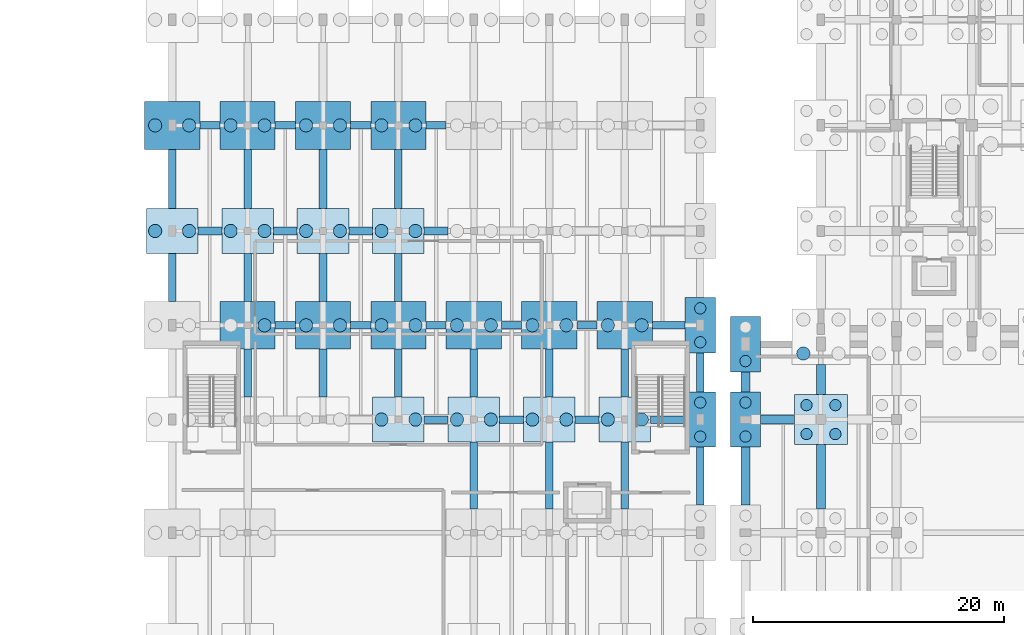
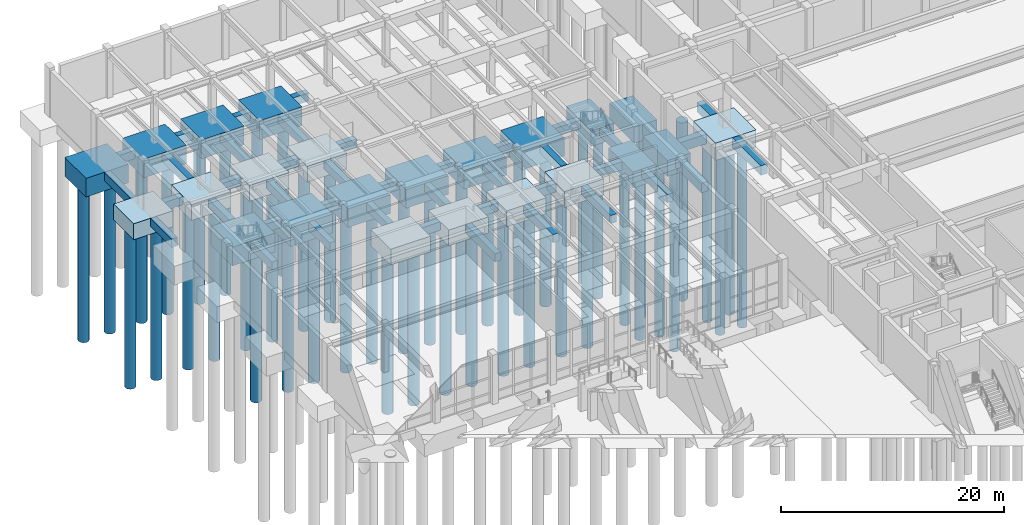
# One storey, part 5 of 69: 65 footings, 47 piles.
"""IFC4 building model written with IfcOpenShell, lengths in metres."""

from ifc_helpers import new_model, si_unit, direction, frame, origin, origin_2d, place, context, subcontext, project, spatial, rectangle, circle, extrude, material, material_profile, profile_set, type_object, element, save


model = new_model("IFC4")

# Units and contexts
model_context = context("Model", 3, precision=1e-05, world=origin(), true_north=direction((0.0, 1.0)))
body_context = subcontext(model_context, "Body", "Model", "MODEL_VIEW")
ifc_project = project(units=[si_unit("LENGTHUNIT", "METRE"), si_unit("AREAUNIT", "SQUARE_METRE"), si_unit("VOLUMEUNIT", "CUBIC_METRE"), si_unit("PLANEANGLEUNIT", "RADIAN"), si_unit("MASSUNIT", "GRAM", prefix="KILO")], contexts=[model_context])

# Site, building, storey
site_placement = place(None, origin())
site = spatial("IfcSite", under=ifc_project, at=site_placement, CompositionType="ELEMENT")
building_placement = place(site_placement, origin())
building = spatial("IfcBuilding", under=site, at=building_placement, Name="Vaelkrest Opera House", CompositionType="ELEMENT")
storey_placement = place(building_placement, frame((0.0, 0.0, -5.39990234375)))
storey = spatial("IfcBuildingStorey", under=building, at=storey_placement, Name="B1", CompositionType="ELEMENT", Elevation=-5.39990234375)

# Footings
ifc_material = material(Name="Concrete C40/50", Category="concrete")
footing_type_1 = type_object("IfcFootingType", Name="FB01", PredefinedType="FOOTING_BEAM", material=ifc_material)
for number, where, z_axis, x_axis, name in (
    (1, (-54.60009765625, 10.199951171875, -0.900146484375), (0.0, 0.0, 1.0), (1.0, 0.0, 0.0), "Footing tie beam FT-GB-0207"),
    (2, (-48.60009765625, 10.199951171875, -0.900146484375), (0.0, 0.0, 1.0), (1.0, 0.0, 0.0), "Footing tie beam FT-GB-0208"),
    (3, (-42.60009765625, 10.199951171875, -0.900146484375), (0.0, 0.0, 1.0), (1.0, 0.0, 0.0), "Footing tie beam FT-GB-0209"),
):
    element("IfcFooting", number, at=place(storey_placement, frame(where, z_axis=z_axis, x_axis=x_axis)), inside=storey, type_object=footing_type_1, Name=name, PredefinedType="FOOTING_BEAM", context=body_context, shape_type="SweptSolid", body=[
        extrude(rectangle(XDim=1.89990234375, YDim=0.60009765625, at=origin_2d()), origin(), (0.0, 0.0, 1.0), 0.89990234375),
    ])
footing_1_placement = place(storey_placement, frame((-36.175048828125, 10.199951171875, -0.900146484375), z_axis=(0.0, 0.0, 1.0), x_axis=(1.0, 0.0, 0.0)))
element("IfcFooting", 4, at=footing_1_placement, inside=storey, type_object=footing_type_1, Name="Footing tie beam FT-GB-0210", PredefinedType="FOOTING_BEAM", context=body_context, shape_type="SweptSolid", body=[
    extrude(rectangle(XDim=2.75, YDim=0.60009765625, at=origin_2d()), origin(), (0.0, 0.0, 1.0), 0.89990234375),
])
for number, where, z_axis, x_axis, name in (
    (5, (-66.60009765625, 17.699951171875, -0.900146484375), (0.0, 0.0, 1.0), (1.0, 0.0, 0.0), "Footing tie beam FT-GB-0212"),
    (6, (-60.60009765625, 17.699951171875, -0.900146484375), (0.0, 0.0, 1.0), (1.0, 0.0, 0.0), "Footing tie beam FT-GB-0213"),
    (7, (-54.60009765625, 17.699951171875, -0.900146484375), (0.0, 0.0, 1.0), (1.0, 0.0, 0.0), "Footing tie beam FT-GB-0214"),
    (8, (-48.60009765625, 17.699951171875, -0.900146484375), (0.0, 0.0, 1.0), (1.0, 0.0, 0.0), "Footing tie beam FT-GB-0215"),
    (9, (-42.60009765625, 17.699951171875, -0.900146484375), (0.0, 0.0, 1.0), (1.0, 0.0, 0.0), "Footing tie beam FT-GB-0216"),
):
    element("IfcFooting", number, at=place(storey_placement, frame(where, z_axis=z_axis, x_axis=x_axis)), inside=storey, type_object=footing_type_1, Name=name, PredefinedType="FOOTING_BEAM", context=body_context, shape_type="SweptSolid", body=[
        extrude(rectangle(XDim=1.60009765625, YDim=0.60009765625, at=origin_2d()), origin(), (0.0, 0.0, 1.0), 0.89990234375),
    ])
footing_2_placement = place(storey_placement, frame((-36.10009765625, 17.699951171875, -0.900146484375), z_axis=(0.0, 0.0, 1.0), x_axis=(1.0, 0.0, 0.0)))
element("IfcFooting", 10, at=footing_2_placement, inside=storey, type_object=footing_type_1, Name="Footing tie beam FT-GB-0217", PredefinedType="FOOTING_BEAM", context=body_context, shape_type="SweptSolid", body=[
    extrude(rectangle(XDim=2.60009765625, YDim=0.60009765625, at=origin_2d()), origin(), (0.0, 0.0, 1.0), 0.89990234375),
])
for number, where, z_axis, x_axis, name in (
    (11, (-72.60009765625, 25.199951171875, -0.900146484375), (0.0, 0.0, 1.0), (1.0, 0.0, 0.0), "Footing tie beam FT-GB-0218"),
    (12, (-66.60009765625, 25.199951171875, -0.900146484375), (0.0, 0.0, 1.0), (1.0, 0.0, 0.0), "Footing tie beam FT-GB-0219"),
    (13, (-60.60009765625, 25.199951171875, -0.900146484375), (0.0, 0.0, 1.0), (1.0, 0.0, 0.0), "Footing tie beam FT-GB-0220"),
    (14, (-54.60009765625, 25.199951171875, -0.900146484375), (0.0, 0.0, 1.0), (1.0, 0.0, 0.0), "Footing tie beam FT-GB-0221"),
):
    element("IfcFooting", number, at=place(storey_placement, frame(where, z_axis=z_axis, x_axis=x_axis)), inside=storey, type_object=footing_type_1, Name=name, PredefinedType="FOOTING_BEAM", context=body_context, shape_type="SweptSolid", body=[
        extrude(rectangle(XDim=1.89990234375, YDim=0.60009765625, at=origin_2d()), origin(), (0.0, 0.0, 1.0), 0.89990234375),
    ])
for number, where, z_axis, x_axis, name in (
    (15, (-72.60009765625, 33.60009765625, -0.900146484375), (0.0, 0.0, 1.0), (1.0, 0.0, 0.0), "Footing tie beam FT-GB-0225"),
    (16, (-66.60009765625, 33.60009765625, -0.900146484375), (0.0, 0.0, 1.0), (1.0, 0.0, 0.0), "Footing tie beam FT-GB-0226"),
    (17, (-60.60009765625, 33.60009765625, -0.900146484375), (0.0, 0.0, 1.0), (1.0, 0.0, 0.0), "Footing tie beam FT-GB-0227"),
    (18, (-54.60009765625, 33.60009765625, -0.900146484375), (0.0, 0.0, 1.0), (1.0, 0.0, 0.0), "Footing tie beam FT-GB-0228"),
):
    element("IfcFooting", number, at=place(storey_placement, frame(where, z_axis=z_axis, x_axis=x_axis)), inside=storey, type_object=footing_type_1, Name=name, PredefinedType="FOOTING_BEAM", context=body_context, shape_type="SweptSolid", body=[
        extrude(rectangle(XDim=1.60009765625, YDim=0.60009765625, at=origin_2d()), origin(), (0.0, 0.0, 1.0), 0.89990234375),
    ])
footing_3_placement = place(storey_placement, frame((-75.60009765625, 21.5, -0.900146484375), z_axis=(0.0, 0.0, 1.0), x_axis=(0.0, 1.0, 0.0)))
element("IfcFooting", 19, at=footing_3_placement, inside=storey, type_object=footing_type_1, Name="Footing tie beam FT-GB-0243", PredefinedType="FOOTING_BEAM", context=body_context, shape_type="SweptSolid", body=[
    extrude(rectangle(XDim=3.800048828125, YDim=0.60009765625, at=origin_2d()), origin(), (0.0, 0.0, 1.0), 0.89990234375),
])
footing_4_placement = place(storey_placement, frame((-75.60009765625, 29.35009765625, -0.900146484375), z_axis=(0.0, 0.0, 1.0), x_axis=(0.0, 1.0, 0.0)))
element("IfcFooting", 20, at=footing_4_placement, inside=storey, type_object=footing_type_1, Name="Footing tie beam FT-GB-0244", PredefinedType="FOOTING_BEAM", context=body_context, shape_type="SweptSolid", body=[
    extrude(rectangle(XDim=4.699951171875, YDim=0.60009765625, at=origin_2d()), origin(), (0.0, 0.0, 1.0), 0.89990234375),
])
for number, where, z_axis, x_axis, name in (
    (21, (-69.60009765625, 13.89990234375, -0.900146484375), (0.0, 0.0, 1.0), (0.0, 1.0, 0.0), "Footing tie beam FT-GB-0249"),
    (22, (-69.60009765625, 21.5, -0.900146484375), (0.0, 0.0, 1.0), (0.0, 1.0, 0.0), "Footing tie beam FT-GB-0250"),
):
    element("IfcFooting", number, at=place(storey_placement, frame(where, z_axis=z_axis, x_axis=x_axis)), inside=storey, type_object=footing_type_1, Name=name, PredefinedType="FOOTING_BEAM", context=body_context, shape_type="SweptSolid", body=[
        extrude(rectangle(XDim=3.800048828125, YDim=0.60009765625, at=origin_2d()), origin(), (0.0, 0.0, 1.0), 0.89990234375),
    ])
footing_5_placement = place(storey_placement, frame((-69.60009765625, 29.35009765625, -0.900146484375), z_axis=(0.0, 0.0, 1.0), x_axis=(0.0, 1.0, 0.0)))
element("IfcFooting", 23, at=footing_5_placement, inside=storey, type_object=footing_type_1, Name="Footing tie beam FT-GB-0251", PredefinedType="FOOTING_BEAM", context=body_context, shape_type="SweptSolid", body=[
    extrude(rectangle(XDim=4.699951171875, YDim=0.60009765625, at=origin_2d()), origin(), (0.0, 0.0, 1.0), 0.89990234375),
])
for number, where, z_axis, x_axis, name in (
    (24, (-63.60009765625, 13.89990234375, -0.900146484375), (0.0, 0.0, 1.0), (0.0, 1.0, 0.0), "Footing tie beam FT-GB-0253"),
    (25, (-63.60009765625, 21.5, -0.900146484375), (0.0, 0.0, 1.0), (0.0, 1.0, 0.0), "Footing tie beam FT-GB-0254"),
):
    element("IfcFooting", number, at=place(storey_placement, frame(where, z_axis=z_axis, x_axis=x_axis)), inside=storey, type_object=footing_type_1, Name=name, PredefinedType="FOOTING_BEAM", context=body_context, shape_type="SweptSolid", body=[
        extrude(rectangle(XDim=3.800048828125, YDim=0.60009765625, at=origin_2d()), origin(), (0.0, 0.0, 1.0), 0.89990234375),
    ])
footing_6_placement = place(storey_placement, frame((-63.60009765625, 29.35009765625, -0.900146484375), z_axis=(0.0, 0.0, 1.0), x_axis=(0.0, 1.0, 0.0)))
element("IfcFooting", 26, at=footing_6_placement, inside=storey, type_object=footing_type_1, Name="Footing tie beam FT-GB-0255", PredefinedType="FOOTING_BEAM", context=body_context, shape_type="SweptSolid", body=[
    extrude(rectangle(XDim=4.699951171875, YDim=0.60009765625, at=origin_2d()), origin(), (0.0, 0.0, 1.0), 0.89990234375),
])
for number, where, z_axis, x_axis, name in (
    (27, (-57.60009765625, 13.89990234375, -0.900146484375), (0.0, 0.0, 1.0), (0.0, 1.0, 0.0), "Footing tie beam FT-GB-0257"),
    (28, (-57.60009765625, 21.5, -0.900146484375), (0.0, 0.0, 1.0), (0.0, 1.0, 0.0), "Footing tie beam FT-GB-0258"),
):
    element("IfcFooting", number, at=place(storey_placement, frame(where, z_axis=z_axis, x_axis=x_axis)), inside=storey, type_object=footing_type_1, Name=name, PredefinedType="FOOTING_BEAM", context=body_context, shape_type="SweptSolid", body=[
        extrude(rectangle(XDim=3.800048828125, YDim=0.60009765625, at=origin_2d()), origin(), (0.0, 0.0, 1.0), 0.89990234375),
    ])
footing_7_placement = place(storey_placement, frame((-57.60009765625, 29.35009765625, -0.900146484375), z_axis=(0.0, 0.0, 1.0), x_axis=(0.0, 1.0, 0.0)))
element("IfcFooting", 29, at=footing_7_placement, inside=storey, type_object=footing_type_1, Name="Footing tie beam FT-GB-0259", PredefinedType="FOOTING_BEAM", context=body_context, shape_type="SweptSolid", body=[
    extrude(rectangle(XDim=4.699951171875, YDim=0.60009765625, at=origin_2d()), origin(), (0.0, 0.0, 1.0), 0.89990234375),
])
footing_8_placement = place(storey_placement, frame((-51.60009765625, 5.75, -0.900146484375), z_axis=(0.0, 0.0, 1.0), x_axis=(0.0, 1.0, 0.0)))
element("IfcFooting", 30, at=footing_8_placement, inside=storey, type_object=footing_type_1, Name="Footing tie beam FT-GB-0263", PredefinedType="FOOTING_BEAM", context=body_context, shape_type="SweptSolid", body=[
    extrude(rectangle(XDim=5.300048828125, YDim=0.60009765625, at=origin_2d()), origin(), (0.0, 0.0, 1.0), 0.89990234375),
])
footing_9_placement = place(storey_placement, frame((-51.60009765625, 13.89990234375, -0.900146484375), z_axis=(0.0, 0.0, 1.0), x_axis=(0.0, 1.0, 0.0)))
element("IfcFooting", 31, at=footing_9_placement, inside=storey, type_object=footing_type_1, Name="Footing tie beam FT-GB-0264", PredefinedType="FOOTING_BEAM", context=body_context, shape_type="SweptSolid", body=[
    extrude(rectangle(XDim=3.800048828125, YDim=0.60009765625, at=origin_2d()), origin(), (0.0, 0.0, 1.0), 0.89990234375),
])
footing_10_placement = place(storey_placement, frame((-45.60009765625, 5.75, -0.900146484375), z_axis=(0.0, 0.0, 1.0), x_axis=(0.0, 1.0, 0.0)))
element("IfcFooting", 32, at=footing_10_placement, inside=storey, type_object=footing_type_1, Name="Footing tie beam FT-GB-0270", PredefinedType="FOOTING_BEAM", context=body_context, shape_type="SweptSolid", body=[
    extrude(rectangle(XDim=5.300048828125, YDim=0.60009765625, at=origin_2d()), origin(), (0.0, 0.0, 1.0), 0.89990234375),
])
footing_11_placement = place(storey_placement, frame((-45.60009765625, 13.89990234375, -0.900146484375), z_axis=(0.0, 0.0, 1.0), x_axis=(0.0, 1.0, 0.0)))
element("IfcFooting", 33, at=footing_11_placement, inside=storey, type_object=footing_type_1, Name="Footing tie beam FT-GB-0271", PredefinedType="FOOTING_BEAM", context=body_context, shape_type="SweptSolid", body=[
    extrude(rectangle(XDim=3.800048828125, YDim=0.60009765625, at=origin_2d()), origin(), (0.0, 0.0, 1.0), 0.89990234375),
])
footing_12_placement = place(storey_placement, frame((-39.60009765625, 5.75, -0.900146484375), z_axis=(0.0, 0.0, 1.0), x_axis=(0.0, 1.0, 0.0)))
element("IfcFooting", 34, at=footing_12_placement, inside=storey, type_object=footing_type_1, Name="Footing tie beam FT-GB-0277", PredefinedType="FOOTING_BEAM", context=body_context, shape_type="SweptSolid", body=[
    extrude(rectangle(XDim=5.300048828125, YDim=0.60009765625, at=origin_2d()), origin(), (0.0, 0.0, 1.0), 0.89990234375),
])
footing_13_placement = place(storey_placement, frame((-39.60009765625, 13.89990234375, -0.900146484375), z_axis=(0.0, 0.0, 1.0), x_axis=(0.0, 1.0, 0.0)))
element("IfcFooting", 35, at=footing_13_placement, inside=storey, type_object=footing_type_1, Name="Footing tie beam FT-GB-0278", PredefinedType="FOOTING_BEAM", context=body_context, shape_type="SweptSolid", body=[
    extrude(rectangle(XDim=3.800048828125, YDim=0.60009765625, at=origin_2d()), origin(), (0.0, 0.0, 1.0), 0.89990234375),
])
footing_14_placement = place(storey_placement, frame((-33.60009765625, 5.699951171875, -0.900146484375), z_axis=(0.0, 0.0, 1.0), x_axis=(0.0, 1.0, 0.0)))
element("IfcFooting", 36, at=footing_14_placement, inside=storey, type_object=footing_type_1, Name="Footing tie beam FT-GB-0284", PredefinedType="FOOTING_BEAM", context=body_context, shape_type="SweptSolid", body=[
    extrude(rectangle(XDim=4.60009765625, YDim=0.60009765625, at=origin_2d()), origin(), (0.0, 0.0, 1.0), 0.89990234375),
])
footing_15_placement = place(storey_placement, frame((-33.60009765625, 13.949951171875, -0.900146484375), z_axis=(0.0, 0.0, 1.0), x_axis=(0.0, 1.0, 0.0)))
element("IfcFooting", 37, at=footing_15_placement, inside=storey, type_object=footing_type_1, Name="Footing tie beam FT-GB-0285", PredefinedType="FOOTING_BEAM", context=body_context, shape_type="SweptSolid", body=[
    extrude(rectangle(XDim=3.10009765625, YDim=0.60009765625, at=origin_2d()), origin(), (0.0, 0.0, 1.0), 0.89990234375),
])
footing_type_2 = type_object("IfcFootingType", Name="FB02", PredefinedType="FOOTING_BEAM", material=ifc_material)
footing_16_placement = place(storey_placement, frame((-27.449951171875, 10.199951171875, -1.05029296875), z_axis=(0.0, 0.0, 1.0), x_axis=(1.0, 0.0, 0.0)))
element("IfcFooting", 38, at=footing_16_placement, inside=storey, type_object=footing_type_2, Name="Footing tie beam FT-GB-0043", PredefinedType="FOOTING_BEAM", context=body_context, shape_type="SweptSolid", body=[
    extrude(rectangle(XDim=2.699951171875, YDim=0.699951171875, at=origin_2d()), origin(), (0.0, 0.0, 1.0), 1.050048828125),
])
footing_17_placement = place(storey_placement, frame((-30.0, 5.699951171875, -1.05029296875), z_axis=(0.0, 0.0, 1.0), x_axis=(0.0, 1.0, 0.0)))
element("IfcFooting", 39, at=footing_17_placement, inside=storey, type_object=footing_type_2, Name="Footing tie beam FT-GB-0062", PredefinedType="FOOTING_BEAM", context=body_context, shape_type="SweptSolid", body=[
    extrude(rectangle(XDim=4.60009765625, YDim=0.699951171875, at=origin_2d()), origin(), (0.0, 0.0, 1.0), 1.050048828125),
])
footing_18_placement = place(storey_placement, frame((-30.0, 13.199951171875, -1.05029296875), z_axis=(0.0, 0.0, 1.0), x_axis=(0.0, 1.0, 0.0)))
element("IfcFooting", 40, at=footing_18_placement, inside=storey, type_object=footing_type_2, Name="Footing tie beam FT-GB-0063", PredefinedType="FOOTING_BEAM", context=body_context, shape_type="SweptSolid", body=[
    extrude(rectangle(XDim=1.60009765625, YDim=0.699951171875, at=origin_2d()), origin(), (0.0, 0.0, 1.0), 1.050048828125),
])
footing_19_placement = place(storey_placement, frame((-24.0, 5.64990234375, -1.05029296875), z_axis=(0.0, 0.0, 1.0), x_axis=(0.0, 1.0, 0.0)))
element("IfcFooting", 41, at=footing_19_placement, inside=storey, type_object=footing_type_2, Name="Footing tie beam FT-GB-0067", PredefinedType="FOOTING_BEAM", context=body_context, shape_type="SweptSolid", body=[
    extrude(rectangle(XDim=5.10009765625, YDim=0.699951171875, at=origin_2d()), origin(), (0.0, 0.0, 1.0), 1.050048828125),
])
footing_20_placement = place(storey_placement, frame((-24.0, 13.39990234375, -1.05029296875), z_axis=(0.0, 0.0, 1.0), x_axis=(0.0, 1.0, 0.0)))
element("IfcFooting", 42, at=footing_20_placement, inside=storey, type_object=footing_type_2, Name="Footing tie beam FT-GB-0068", PredefinedType="FOOTING_BEAM", context=body_context, shape_type="SweptSolid", body=[
    extrude(rectangle(XDim=2.39990234375, YDim=0.699951171875, at=origin_2d()), origin(), (0.0, 0.0, 1.0), 1.050048828125),
])
footing_type_3 = type_object("IfcFootingType", Name="PC03", PredefinedType="PILE_CAP", material=ifc_material)
for number, where, z_axis, x_axis, name in (
    (43, (-75.60009765625, 25.199951171875, -1.75), (0.0, 0.0, 1.0), (1.0, 0.0, 0.0), "Pile cap FT-CAP-122"),
    (44, (-69.60009765625, 25.199951171875, -1.75), (0.0, 0.0, 1.0), (1.0, 0.0, 0.0), "Pile cap FT-CAP-130"),
    (45, (-63.60009765625, 25.199951171875, -1.75), (0.0, 0.0, 1.0), (1.0, 0.0, 0.0), "Pile cap FT-CAP-136"),
    (46, (-57.60009765625, 10.199951171875, -1.75), (0.0, 0.0, 1.0), (1.0, 0.0, 0.0), "Pile cap FT-CAP-140"),
    (47, (-57.60009765625, 25.199951171875, -1.75), (0.0, 0.0, 1.0), (1.0, 0.0, 0.0), "Pile cap FT-CAP-142"),
    (48, (-51.60009765625, 10.199951171875, -1.75), (0.0, 0.0, 1.0), (1.0, 0.0, 0.0), "Pile cap FT-CAP-148"),
    (49, (-45.60009765625, 10.199951171875, -1.75), (0.0, 0.0, 1.0), (1.0, 0.0, 0.0), "Pile cap FT-CAP-156"),
    (50, (-39.60009765625, 10.199951171875, -1.75), (0.0, 0.0, 1.0), (1.0, 0.0, 0.0), "Pile cap FT-CAP-164"),
):
    element("IfcFooting", number, at=place(storey_placement, frame(where, z_axis=z_axis, x_axis=x_axis)), inside=storey, type_object=footing_type_3, Name=name, PredefinedType="PILE_CAP", context=body_context, shape_type="SweptSolid", body=[
        extrude(rectangle(XDim=4.10009765625, YDim=3.60009765625, at=origin_2d()), origin(), (0.0, 0.0, 1.0), 1.75),
    ])
footing_type_4 = type_object("IfcFootingType", Name="PC04", PredefinedType="PILE_CAP", material=ifc_material)
footing_21_placement = place(storey_placement, frame((-24.0, 10.199951171875, -1.900146484375), z_axis=(0.0, 0.0, 1.0), x_axis=(1.0, 0.0, 0.0)))
element("IfcFooting", 51, at=footing_21_placement, inside=storey, type_object=footing_type_4, Name="Pile cap FT-CAP-015", PredefinedType="PILE_CAP", context=body_context, shape_type="SweptSolid", body=[
    extrude(rectangle(XDim=4.199951171875, YDim=4.0, at=origin_2d()), origin(), (0.0, 0.0, 1.0), 1.89990234375),
])
footing_type_5 = type_object("IfcFootingType", Name="PC05", PredefinedType="PILE_CAP", material=ifc_material)
for number, where, z_axis, x_axis, name in (
    (52, (-75.60009765625, 33.60009765625, -2.05029296875), (0.0, 0.0, 1.0), (1.0, 0.0, 0.0), "Pile cap FT-CAP-123"),
    (53, (-69.60009765625, 17.699951171875, -2.05029296875), (0.0, 0.0, 1.0), (1.0, 0.0, 0.0), "Pile cap FT-CAP-129"),
    (54, (-69.60009765625, 33.60009765625, -2.05029296875), (0.0, 0.0, 1.0), (1.0, 0.0, 0.0), "Pile cap FT-CAP-131"),
    (55, (-63.60009765625, 17.699951171875, -2.05029296875), (0.0, 0.0, 1.0), (1.0, 0.0, 0.0), "Pile cap FT-CAP-135"),
    (56, (-63.60009765625, 33.60009765625, -2.05029296875), (0.0, 0.0, 1.0), (1.0, 0.0, 0.0), "Pile cap FT-CAP-137"),
    (57, (-57.60009765625, 17.699951171875, -2.05029296875), (0.0, 0.0, 1.0), (1.0, 0.0, 0.0), "Pile cap FT-CAP-141"),
    (58, (-57.60009765625, 33.60009765625, -2.05029296875), (0.0, 0.0, 1.0), (1.0, 0.0, 0.0), "Pile cap FT-CAP-143"),
    (59, (-51.60009765625, 17.699951171875, -2.05029296875), (0.0, 0.0, 1.0), (1.0, 0.0, 0.0), "Pile cap FT-CAP-149"),
    (60, (-45.60009765625, 17.699951171875, -2.05029296875), (0.0, 0.0, 1.0), (1.0, 0.0, 0.0), "Pile cap FT-CAP-157"),
    (61, (-39.60009765625, 17.699951171875, -2.05029296875), (0.0, 0.0, 1.0), (1.0, 0.0, 0.0), "Pile cap FT-CAP-165"),
):
    element("IfcFooting", number, at=place(storey_placement, frame(where, z_axis=z_axis, x_axis=x_axis)), inside=storey, type_object=footing_type_5, Name=name, PredefinedType="PILE_CAP", context=body_context, shape_type="SweptSolid", body=[
        extrude(rectangle(XDim=4.39990234375, YDim=3.800048828125, at=origin_2d()), origin(), (0.0, 0.0, 1.0), 2.050048828125),
    ])
footing_type_6 = type_object("IfcFootingType", Name="PC08", PredefinedType="PILE_CAP", material=ifc_material)
for number, where, z_axis, x_axis, name in (
    (62, (-30.0, 10.199951171875, -1.75), (0.0, 0.0, 1.0), (1.0, 0.0, 0.0), "Pile cap FT-CAP-008"),
    (63, (-30.0, 16.199951171875, -1.75), (0.0, 0.0, 1.0), (1.0, 0.0, 0.0), "Pile cap FT-CAP-009"),
    (64, (-33.60009765625, 10.199951171875, -1.75), (0.0, 0.0, 1.0), (1.0, 0.0, 0.0), "Pile cap FT-CAP-172"),
    (65, (-33.60009765625, 17.699951171875, -1.75), (0.0, 0.0, 1.0), (1.0, 0.0, 0.0), "Pile cap FT-CAP-173"),
):
    element("IfcFooting", number, at=place(storey_placement, frame(where, z_axis=z_axis, x_axis=x_axis)), inside=storey, type_object=footing_type_6, Name=name, PredefinedType="PILE_CAP", context=body_context, shape_type="SweptSolid", body=[
        extrude(rectangle(XDim=2.39990234375, YDim=4.39990234375, at=origin_2d()), origin(), (0.0, 0.0, 1.0), 1.75),
    ])

# Piles
ifc_material_profile_1 = material_profile(ifc_material, circle(Radius=0.449951171875, at=origin_2d()), Name="PILE900")
ifc_profile_set_1 = profile_set([ifc_material_profile_1], Name="Concrete C40/50")
pile_type_1 = type_object("IfcPileType", Name="PL01", PredefinedType="BORED", material=ifc_profile_set_1)
for number, where, z_axis, x_axis, name in (
    (66, (-30.0, 8.85009765625, -1.650146484375), (0.0, 0.0, -1.0), (1.0, 0.0, 0.0), "Bored pile PL-0015"),
    (67, (-30.0, 11.550048828125, -1.650146484375), (0.0, 0.0, -1.0), (1.0, 0.0, 0.0), "Bored pile PL-0016"),
    (68, (-30.0, 14.85009765625, -1.650146484375), (0.0, 0.0, -1.0), (1.0, 0.0, 0.0), "Bored pile PL-0017"),
):
    element("IfcPile", number, at=place(storey_placement, frame(where, z_axis=z_axis, x_axis=x_axis)), inside=storey, type_object=pile_type_1, Name=name, PredefinedType="BORED", context=body_context, shape_type="SweptSolid", body=[
        extrude(circle(Radius=0.449951171875, at=origin_2d()), origin(), (0.0, 0.0, 1.0), 19.949951171875),
    ])
for number, where, z_axis, x_axis, name in (
    (69, (-25.14990234375, 9.050048828125, -1.800048828125), (0.0, 0.0, -1.0), (1.0, 0.0, 0.0), "Bored pile PL-0039"),
    (70, (-22.85009765625, 9.050048828125, -1.800048828125), (0.0, 0.0, -1.0), (1.0, 0.0, 0.0), "Bored pile PL-0040"),
    (71, (-25.14990234375, 11.35009765625, -1.800048828125), (0.0, 0.0, -1.0), (1.0, 0.0, 0.0), "Bored pile PL-0041"),
    (72, (-22.85009765625, 11.35009765625, -1.800048828125), (0.0, 0.0, -1.0), (1.0, 0.0, 0.0), "Bored pile PL-0042"),
):
    element("IfcPile", number, at=place(storey_placement, frame(where, z_axis=z_axis, x_axis=x_axis)), inside=storey, type_object=pile_type_1, Name=name, PredefinedType="BORED", context=body_context, shape_type="SweptSolid", body=[
        extrude(circle(Radius=0.449951171875, at=origin_2d()), origin(), (0.0, 0.0, 1.0), 19.800048828125),
    ])
for number, where, z_axis, x_axis, name in (
    (73, (-33.60009765625, 8.85009765625, -1.650146484375), (0.0, 0.0, -1.0), (1.0, 0.0, 0.0), "Bored pile PL-0531"),
    (74, (-33.60009765625, 11.550048828125, -1.650146484375), (0.0, 0.0, -1.0), (1.0, 0.0, 0.0), "Bored pile PL-0532"),
    (75, (-33.60009765625, 16.35009765625, -1.650146484375), (0.0, 0.0, -1.0), (1.0, 0.0, 0.0), "Bored pile PL-0533"),
    (76, (-33.60009765625, 19.050048828125, -1.650146484375), (0.0, 0.0, -1.0), (1.0, 0.0, 0.0), "Bored pile PL-0534"),
):
    element("IfcPile", number, at=place(storey_placement, frame(where, z_axis=z_axis, x_axis=x_axis)), inside=storey, type_object=pile_type_1, Name=name, PredefinedType="BORED", context=body_context, shape_type="SweptSolid", body=[
        extrude(circle(Radius=0.449951171875, at=origin_2d()), origin(), (0.0, 0.0, 1.0), 17.449951171875),
    ])
ifc_material_profile_2 = material_profile(ifc_material, circle(Radius=0.52490234375, at=origin_2d()), Name="PILE1050")
ifc_profile_set_2 = profile_set([ifc_material_profile_2], Name="Concrete C40/50")
pile_type_2 = type_object("IfcPileType", Name="PL02", PredefinedType="BORED", material=ifc_profile_set_2)
pile_placement = place(storey_placement, frame((-25.39990234375, 15.449951171875, -2.050048828125), z_axis=(0.0, 0.0, -1.0), x_axis=(1.0, 0.0, 0.0)))
element("IfcPile", 77, at=pile_placement, inside=storey, type_object=pile_type_2, Name="Bored pile PL-0043", PredefinedType="BORED", context=body_context, shape_type="SweptSolid", body=[
    extrude(circle(Radius=0.52490234375, at=origin_2d()), origin(), (0.0, 0.0, 1.0), 19.550048828125),
])
for number, where, z_axis, x_axis, name in (
    (78, (-76.949951171875, 25.199951171875, -1.650146484375), (0.0, 0.0, -1.0), (1.0, 0.0, 0.0), "Bored pile PL-0431"),
    (79, (-74.25, 25.199951171875, -1.650146484375), (0.0, 0.0, -1.0), (1.0, 0.0, 0.0), "Bored pile PL-0432"),
):
    element("IfcPile", number, at=place(storey_placement, frame(where, z_axis=z_axis, x_axis=x_axis)), inside=storey, type_object=pile_type_2, Name=name, PredefinedType="BORED", context=body_context, shape_type="SweptSolid", body=[
        extrude(circle(Radius=0.52490234375, at=origin_2d()), origin(), (0.0, 0.0, 1.0), 17.449951171875),
    ])
for number, where, z_axis, x_axis, name in (
    (80, (-76.949951171875, 33.60009765625, -1.9501953125), (0.0, 0.0, -1.0), (1.0, 0.0, 0.0), "Bored pile PL-0433"),
    (81, (-74.25, 33.60009765625, -1.9501953125), (0.0, 0.0, -1.0), (1.0, 0.0, 0.0), "Bored pile PL-0434"),
    (82, (-68.25, 17.699951171875, -1.9501953125), (0.0, 0.0, -1.0), (1.0, 0.0, 0.0), "Bored pile PL-0446"),
):
    element("IfcPile", number, at=place(storey_placement, frame(where, z_axis=z_axis, x_axis=x_axis)), inside=storey, type_object=pile_type_2, Name=name, PredefinedType="BORED", context=body_context, shape_type="SweptSolid", body=[
        extrude(circle(Radius=0.52490234375, at=origin_2d()), origin(), (0.0, 0.0, 1.0), 17.14990234375),
    ])
for number, where, z_axis, x_axis, name in (
    (83, (-70.949951171875, 25.199951171875, -1.650146484375), (0.0, 0.0, -1.0), (1.0, 0.0, 0.0), "Bored pile PL-0447"),
    (84, (-68.25, 25.199951171875, -1.650146484375), (0.0, 0.0, -1.0), (1.0, 0.0, 0.0), "Bored pile PL-0448"),
):
    element("IfcPile", number, at=place(storey_placement, frame(where, z_axis=z_axis, x_axis=x_axis)), inside=storey, type_object=pile_type_2, Name=name, PredefinedType="BORED", context=body_context, shape_type="SweptSolid", body=[
        extrude(circle(Radius=0.52490234375, at=origin_2d()), origin(), (0.0, 0.0, 1.0), 17.449951171875),
    ])
for number, where, z_axis, x_axis, name in (
    (85, (-70.949951171875, 33.60009765625, -1.9501953125), (0.0, 0.0, -1.0), (1.0, 0.0, 0.0), "Bored pile PL-0449"),
    (86, (-68.25, 33.60009765625, -1.9501953125), (0.0, 0.0, -1.0), (1.0, 0.0, 0.0), "Bored pile PL-0450"),
    (87, (-64.949951171875, 17.699951171875, -1.9501953125), (0.0, 0.0, -1.0), (1.0, 0.0, 0.0), "Bored pile PL-0457"),
    (88, (-62.25, 17.699951171875, -1.9501953125), (0.0, 0.0, -1.0), (1.0, 0.0, 0.0), "Bored pile PL-0458"),
):
    element("IfcPile", number, at=place(storey_placement, frame(where, z_axis=z_axis, x_axis=x_axis)), inside=storey, type_object=pile_type_2, Name=name, PredefinedType="BORED", context=body_context, shape_type="SweptSolid", body=[
        extrude(circle(Radius=0.52490234375, at=origin_2d()), origin(), (0.0, 0.0, 1.0), 17.14990234375),
    ])
for number, where, z_axis, x_axis, name in (
    (89, (-64.949951171875, 25.199951171875, -1.650146484375), (0.0, 0.0, -1.0), (1.0, 0.0, 0.0), "Bored pile PL-0459"),
    (90, (-62.25, 25.199951171875, -1.650146484375), (0.0, 0.0, -1.0), (1.0, 0.0, 0.0), "Bored pile PL-0460"),
):
    element("IfcPile", number, at=place(storey_placement, frame(where, z_axis=z_axis, x_axis=x_axis)), inside=storey, type_object=pile_type_2, Name=name, PredefinedType="BORED", context=body_context, shape_type="SweptSolid", body=[
        extrude(circle(Radius=0.52490234375, at=origin_2d()), origin(), (0.0, 0.0, 1.0), 17.449951171875),
    ])
for number, where, z_axis, x_axis, name in (
    (91, (-64.949951171875, 33.60009765625, -1.9501953125), (0.0, 0.0, -1.0), (1.0, 0.0, 0.0), "Bored pile PL-0461"),
    (92, (-62.25, 33.60009765625, -1.9501953125), (0.0, 0.0, -1.0), (1.0, 0.0, 0.0), "Bored pile PL-0462"),
):
    element("IfcPile", number, at=place(storey_placement, frame(where, z_axis=z_axis, x_axis=x_axis)), inside=storey, type_object=pile_type_2, Name=name, PredefinedType="BORED", context=body_context, shape_type="SweptSolid", body=[
        extrude(circle(Radius=0.52490234375, at=origin_2d()), origin(), (0.0, 0.0, 1.0), 17.14990234375),
    ])
for number, where, z_axis, x_axis, name in (
    (93, (-58.949951171875, 10.199951171875, -1.650146484375), (0.0, 0.0, -1.0), (1.0, 0.0, 0.0), "Bored pile PL-0467"),
    (94, (-56.25, 10.199951171875, -1.650146484375), (0.0, 0.0, -1.0), (1.0, 0.0, 0.0), "Bored pile PL-0468"),
):
    element("IfcPile", number, at=place(storey_placement, frame(where, z_axis=z_axis, x_axis=x_axis)), inside=storey, type_object=pile_type_2, Name=name, PredefinedType="BORED", context=body_context, shape_type="SweptSolid", body=[
        extrude(circle(Radius=0.52490234375, at=origin_2d()), origin(), (0.0, 0.0, 1.0), 17.449951171875),
    ])
for number, where, z_axis, x_axis, name in (
    (95, (-58.949951171875, 17.699951171875, -1.9501953125), (0.0, 0.0, -1.0), (1.0, 0.0, 0.0), "Bored pile PL-0469"),
    (96, (-56.25, 17.699951171875, -1.9501953125), (0.0, 0.0, -1.0), (1.0, 0.0, 0.0), "Bored pile PL-0470"),
):
    element("IfcPile", number, at=place(storey_placement, frame(where, z_axis=z_axis, x_axis=x_axis)), inside=storey, type_object=pile_type_2, Name=name, PredefinedType="BORED", context=body_context, shape_type="SweptSolid", body=[
        extrude(circle(Radius=0.52490234375, at=origin_2d()), origin(), (0.0, 0.0, 1.0), 17.14990234375),
    ])
for number, where, z_axis, x_axis, name in (
    (97, (-58.949951171875, 25.199951171875, -1.650146484375), (0.0, 0.0, -1.0), (1.0, 0.0, 0.0), "Bored pile PL-0471"),
    (98, (-56.25, 25.199951171875, -1.650146484375), (0.0, 0.0, -1.0), (1.0, 0.0, 0.0), "Bored pile PL-0472"),
):
    element("IfcPile", number, at=place(storey_placement, frame(where, z_axis=z_axis, x_axis=x_axis)), inside=storey, type_object=pile_type_2, Name=name, PredefinedType="BORED", context=body_context, shape_type="SweptSolid", body=[
        extrude(circle(Radius=0.52490234375, at=origin_2d()), origin(), (0.0, 0.0, 1.0), 17.449951171875),
    ])
for number, where, z_axis, x_axis, name in (
    (99, (-58.949951171875, 33.60009765625, -1.9501953125), (0.0, 0.0, -1.0), (1.0, 0.0, 0.0), "Bored pile PL-0473"),
    (100, (-56.25, 33.60009765625, -1.9501953125), (0.0, 0.0, -1.0), (1.0, 0.0, 0.0), "Bored pile PL-0474"),
):
    element("IfcPile", number, at=place(storey_placement, frame(where, z_axis=z_axis, x_axis=x_axis)), inside=storey, type_object=pile_type_2, Name=name, PredefinedType="BORED", context=body_context, shape_type="SweptSolid", body=[
        extrude(circle(Radius=0.52490234375, at=origin_2d()), origin(), (0.0, 0.0, 1.0), 17.14990234375),
    ])
for number, where, z_axis, x_axis, name in (
    (101, (-52.949951171875, 10.199951171875, -1.650146484375), (0.0, 0.0, -1.0), (1.0, 0.0, 0.0), "Bored pile PL-0483"),
    (102, (-50.25, 10.199951171875, -1.650146484375), (0.0, 0.0, -1.0), (1.0, 0.0, 0.0), "Bored pile PL-0484"),
):
    element("IfcPile", number, at=place(storey_placement, frame(where, z_axis=z_axis, x_axis=x_axis)), inside=storey, type_object=pile_type_2, Name=name, PredefinedType="BORED", context=body_context, shape_type="SweptSolid", body=[
        extrude(circle(Radius=0.52490234375, at=origin_2d()), origin(), (0.0, 0.0, 1.0), 17.449951171875),
    ])
for number, where, z_axis, x_axis, name in (
    (103, (-52.949951171875, 17.699951171875, -1.9501953125), (0.0, 0.0, -1.0), (1.0, 0.0, 0.0), "Bored pile PL-0485"),
    (104, (-50.25, 17.699951171875, -1.9501953125), (0.0, 0.0, -1.0), (1.0, 0.0, 0.0), "Bored pile PL-0486"),
):
    element("IfcPile", number, at=place(storey_placement, frame(where, z_axis=z_axis, x_axis=x_axis)), inside=storey, type_object=pile_type_2, Name=name, PredefinedType="BORED", context=body_context, shape_type="SweptSolid", body=[
        extrude(circle(Radius=0.52490234375, at=origin_2d()), origin(), (0.0, 0.0, 1.0), 17.14990234375),
    ])
for number, where, z_axis, x_axis, name in (
    (105, (-46.949951171875, 10.199951171875, -1.650146484375), (0.0, 0.0, -1.0), (1.0, 0.0, 0.0), "Bored pile PL-0499"),
    (106, (-44.25, 10.199951171875, -1.650146484375), (0.0, 0.0, -1.0), (1.0, 0.0, 0.0), "Bored pile PL-0500"),
):
    element("IfcPile", number, at=place(storey_placement, frame(where, z_axis=z_axis, x_axis=x_axis)), inside=storey, type_object=pile_type_2, Name=name, PredefinedType="BORED", context=body_context, shape_type="SweptSolid", body=[
        extrude(circle(Radius=0.52490234375, at=origin_2d()), origin(), (0.0, 0.0, 1.0), 17.449951171875),
    ])
for number, where, z_axis, x_axis, name in (
    (107, (-46.949951171875, 17.699951171875, -1.9501953125), (0.0, 0.0, -1.0), (1.0, 0.0, 0.0), "Bored pile PL-0501"),
    (108, (-44.25, 17.699951171875, -1.9501953125), (0.0, 0.0, -1.0), (1.0, 0.0, 0.0), "Bored pile PL-0502"),
):
    element("IfcPile", number, at=place(storey_placement, frame(where, z_axis=z_axis, x_axis=x_axis)), inside=storey, type_object=pile_type_2, Name=name, PredefinedType="BORED", context=body_context, shape_type="SweptSolid", body=[
        extrude(circle(Radius=0.52490234375, at=origin_2d()), origin(), (0.0, 0.0, 1.0), 17.14990234375),
    ])
for number, where, z_axis, x_axis, name in (
    (109, (-40.949951171875, 10.199951171875, -1.650146484375), (0.0, 0.0, -1.0), (1.0, 0.0, 0.0), "Bored pile PL-0515"),
    (110, (-38.25, 10.199951171875, -1.650146484375), (0.0, 0.0, -1.0), (1.0, 0.0, 0.0), "Bored pile PL-0516"),
):
    element("IfcPile", number, at=place(storey_placement, frame(where, z_axis=z_axis, x_axis=x_axis)), inside=storey, type_object=pile_type_2, Name=name, PredefinedType="BORED", context=body_context, shape_type="SweptSolid", body=[
        extrude(circle(Radius=0.52490234375, at=origin_2d()), origin(), (0.0, 0.0, 1.0), 17.449951171875),
    ])
for number, where, z_axis, x_axis, name in (
    (111, (-40.949951171875, 17.699951171875, -1.9501953125), (0.0, 0.0, -1.0), (1.0, 0.0, 0.0), "Bored pile PL-0517"),
    (112, (-38.25, 17.699951171875, -1.9501953125), (0.0, 0.0, -1.0), (1.0, 0.0, 0.0), "Bored pile PL-0518"),
):
    element("IfcPile", number, at=place(storey_placement, frame(where, z_axis=z_axis, x_axis=x_axis)), inside=storey, type_object=pile_type_2, Name=name, PredefinedType="BORED", context=body_context, shape_type="SweptSolid", body=[
        extrude(circle(Radius=0.52490234375, at=origin_2d()), origin(), (0.0, 0.0, 1.0), 17.14990234375),
    ])

save(model, "model.ifc")
